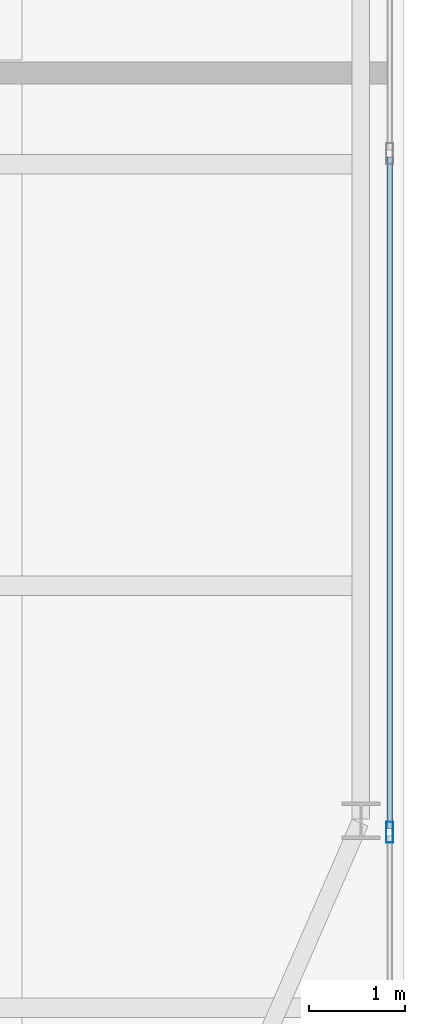
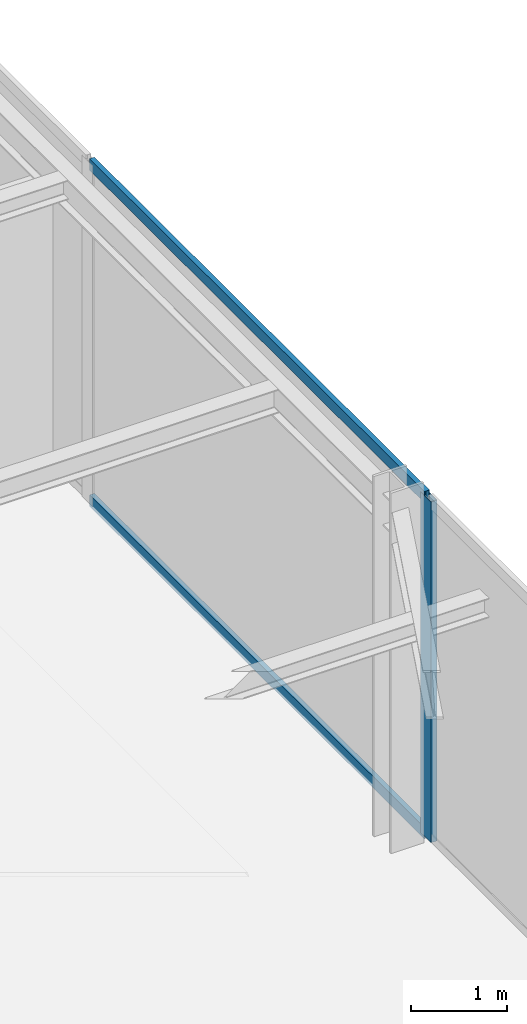
# One storey, part 21 of 32: 3 members, 1 element without a shape of its own.
"""IFC4 building model written with IfcOpenShell, lengths in metres."""

from ifc_helpers import new_model, si_unit, direction, frame, origin, origin_2d, place, context, subcontext, project, spatial, hollow_rectangle, extrude, source, transform, mapped, material, layer, layer_set, material_profile, profile_set, type_object, type_shapes, element, aggregate, save


model = new_model("IFC4")

# Units and contexts
model_context = context("Model", 3, precision=1e-05, world=origin(), true_north=direction((0.0, 1.0)))
body_context = subcontext(model_context, "Body", "Model", "MODEL_VIEW")
ifc_project = project(units=[si_unit("LENGTHUNIT", "METRE"), si_unit("AREAUNIT", "SQUARE_METRE"), si_unit("VOLUMEUNIT", "CUBIC_METRE"), si_unit("PLANEANGLEUNIT", "RADIAN"), si_unit("MASSUNIT", "GRAM", prefix="KILO")], contexts=[model_context])

# Site, building, storey
site_placement = place(None, origin())
site = spatial("IfcSite", under=ifc_project, at=site_placement, CompositionType="ELEMENT")
building_placement = place(site_placement, origin())
building = spatial("IfcBuilding", under=site, at=building_placement, Name="Varnel Quay Broadcast Tower", CompositionType="ELEMENT")
storey_placement = place(building_placement, frame((0.0, 0.0, 98.39990234375)))
storey = spatial("IfcBuildingStorey", under=building, at=storey_placement, Name="L23", CompositionType="ELEMENT", Elevation=98.39990234375)

# Curtain wall, members
ifc_material = material(Name="Anodised Bronze Aluminium 6063-T6", Category="aluminium")
ifc_layer = layer(ifc_material, 0.18994140625, Name="Anodised Bronze Aluminium 6063-T6")
ifc_layer_set = layer_set([ifc_layer], Name="Anodised Bronze Aluminium 6063-T6")
curtain_wall_type = type_object("IfcCurtainWallType", Name="CW_SkyObsHighVis", PredefinedType="NOTDEFINED", material=ifc_layer_set)
curtain_wall_placement = place(storey_placement, origin())
curtain_wall = element("IfcCurtainWall", 1, at=curtain_wall_placement, inside=storey, type_object=curtain_wall_type, Name="L23 East Unitised Curtain Wall", PredefinedType="NOTDEFINED")
ifc_material_profile_1 = material_profile(ifc_material, hollow_rectangle(XDim=0.074951171875, YDim=0.219970703125, WallThickness=0.00390625, at=origin_2d()), Name="ALU75X220X4")
ifc_profile_set_1 = profile_set([ifc_material_profile_1], Name="Anodised Bronze Aluminium 6063-T6")
member_type_1 = type_object("IfcMemberType", Name="Mull_CWS-05", PredefinedType="MULLION", material=ifc_profile_set_1)
shared_shape_1 = source(origin(), body_context, "Body", "SweptSolid", [
    extrude(hollow_rectangle(XDim=0.074951171875, YDim=0.219970703125, WallThickness=0.00390625, at=origin_2d()), origin(), (0.0, 0.0, 1.0), 4.35009765625),
])
type_shapes(member_type_1, [shared_shape_1])
member_1_placement = place(storey_placement, frame((63.35009765625, 14.8798828125, 0.0), z_axis=(0.0, 0.0, 1.0), x_axis=(-1.0, 0.0, 0.0)))
member_1 = element("IfcMember", 2, at=member_1_placement, type_object=member_type_1, Name="CWS-05 mullion 2", PredefinedType="MULLION", context=body_context, shape_type="MappedRepresentation", body=[
    mapped(shared_shape_1, transform((0.0, 0.0, 0.0), x_axis=(1.0, 0.0, 0.0), y_axis=(0.0, 1.0, 0.0), z_axis=(0.0, 0.0, 1.0), scale=1.0)),
])
ifc_material_profile_2 = material_profile(ifc_material, hollow_rectangle(XDim=0.06005859375, YDim=0.14501953125, WallThickness=0.00341796875, at=origin_2d()), Name="ALU60X145X3.5")
ifc_profile_set_2 = profile_set([ifc_material_profile_2], Name="Anodised Bronze Aluminium 6063-T6")
member_type_2 = type_object("IfcMemberType", Name="Tran_CWS-05", PredefinedType="USERDEFINED", material=ifc_profile_set_2)
shared_shape_2 = source(origin(), body_context, "Body", "SweptSolid", [
    extrude(hollow_rectangle(XDim=0.06005859375, YDim=0.14501953125, WallThickness=0.00341796875, at=origin_2d()), origin(), (0.0, 0.0, 1.0), 7.005126953125),
])
type_shapes(member_type_2, [shared_shape_2])
member_2_placement = place(storey_placement, frame((63.35009765625, 14.91748046875, 0.030029296875), z_axis=(0.0, 1.0, 0.0), x_axis=(-1.0, 0.0, 0.0)))
member_2 = element("IfcMember", 3, at=member_2_placement, type_object=member_type_2, Name="CWS-05 transom 2.1", ObjectType="TRANSOM", PredefinedType="USERDEFINED", context=body_context, shape_type="MappedRepresentation", body=[
    mapped(shared_shape_2, transform((0.0, 0.0, 0.0), x_axis=(1.0, 0.0, 0.0), y_axis=(0.0, 1.0, 0.0), z_axis=(0.0, 0.0, 1.0), scale=1.0)),
])
member_3_placement = place(storey_placement, frame((63.35009765625, 14.91748046875, 4.320068359375), z_axis=(0.0, 1.0, 0.0), x_axis=(-1.0, 0.0, 0.0)))
member_3 = element("IfcMember", 4, at=member_3_placement, type_object=member_type_2, Name="CWS-05 transom 2.2", ObjectType="TRANSOM", PredefinedType="USERDEFINED", context=body_context, shape_type="MappedRepresentation", body=[
    mapped(shared_shape_2, transform((0.0, 0.0, 0.0), x_axis=(1.0, 0.0, 0.0), y_axis=(0.0, 1.0, 0.0), z_axis=(0.0, 0.0, 1.0), scale=1.0)),
])
aggregate(curtain_wall, [member_1, member_2, member_3])

save(model, "model.ifc")
